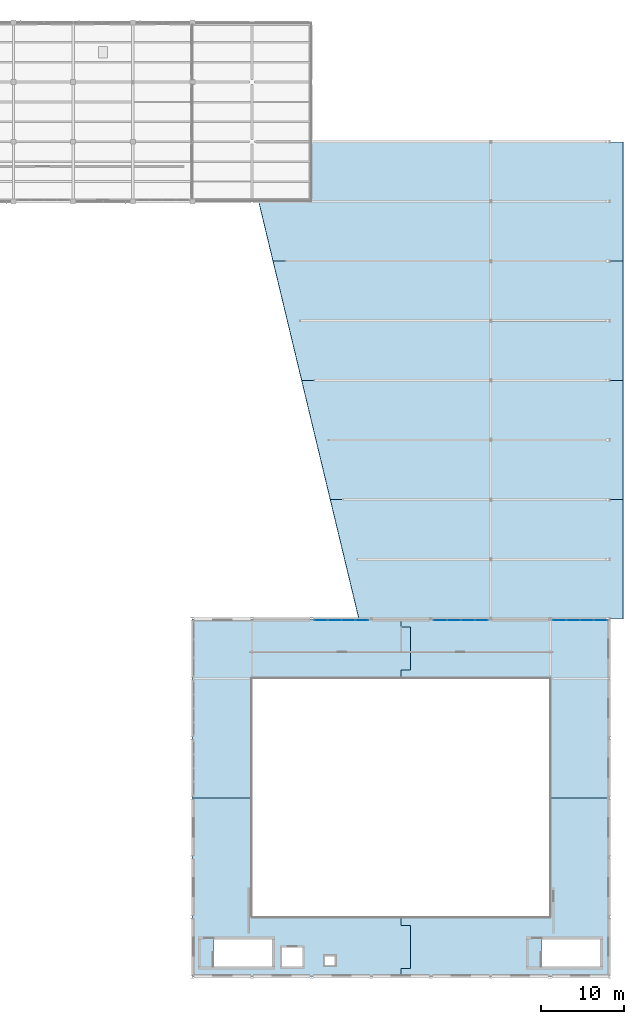
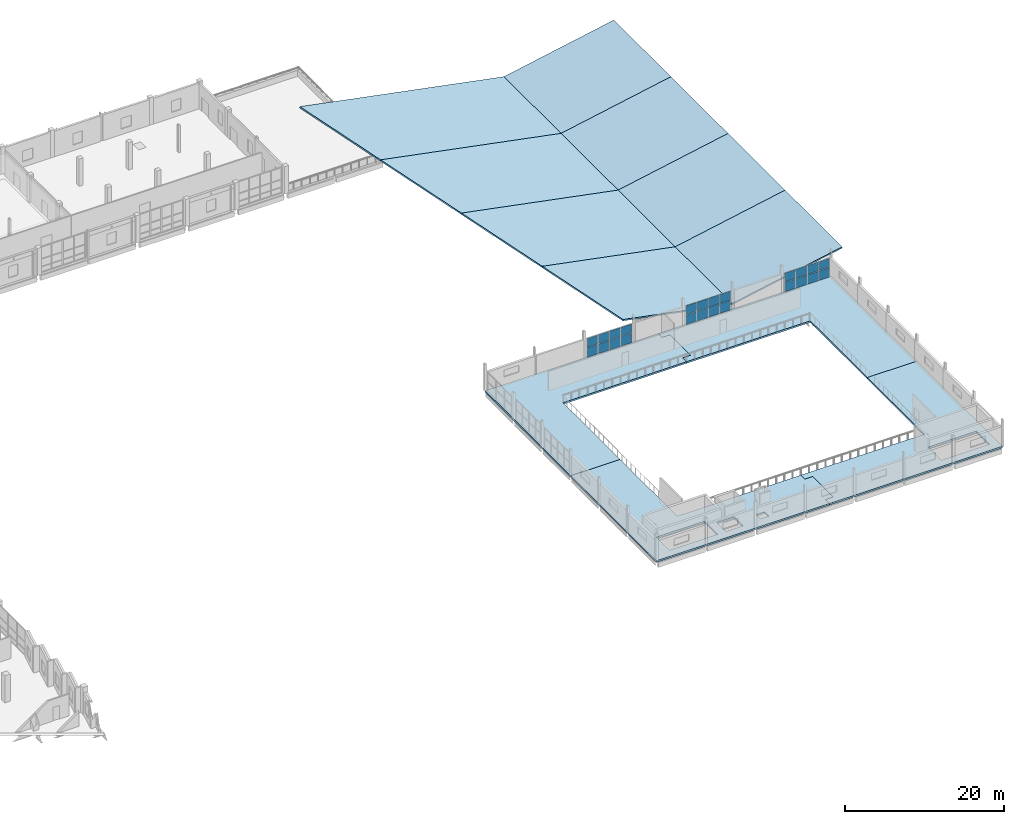
# One storey, part 62 of 94: 24 plates, 12 slabs, 3 elements without a shape of their own.
"""IFC4 building model written with IfcOpenShell, lengths in metres."""

from ifc_helpers import new_model, si_unit, direction, frame, origin, origin_2d, place, context, subcontext, project, spatial, polyline, rectangle, outline, extrude, material, layer, layer_set, type_object, element, aggregate, save


model = new_model("IFC4")

# Units and contexts
model_context = context("Model", 3, precision=1e-05, world=origin(), true_north=direction((0.0, 1.0)))
body_context = subcontext(model_context, "Body", "Model", "MODEL_VIEW")
ifc_project = project(units=[si_unit("LENGTHUNIT", "METRE"), si_unit("AREAUNIT", "SQUARE_METRE"), si_unit("VOLUMEUNIT", "CUBIC_METRE"), si_unit("PLANEANGLEUNIT", "RADIAN"), si_unit("MASSUNIT", "GRAM", prefix="KILO")], contexts=[model_context])

# Site, building, storey
site_placement = place(None, origin())
site = spatial("IfcSite", under=ifc_project, at=site_placement, CompositionType="ELEMENT")
building_placement = place(site_placement, origin())
building = spatial("IfcBuilding", under=site, at=building_placement, Name="Kalmorath City Hall", CompositionType="ELEMENT")
storey_placement = place(building_placement, frame((0.0, 0.0, 14.699951171875)))
storey = spatial("IfcBuildingStorey", under=building, at=storey_placement, Name="L03", CompositionType="ELEMENT", Elevation=14.699951171875)

# Slabs
ifc_material_1 = material(Name="Concrete C40/50", Category="concrete")
ifc_layer_1 = layer(ifc_material_1, 0.2099609375)
ifc_layer_set_1 = layer_set([ifc_layer_1], Name="Concrete C40/50")
slab_type_1 = type_object("IfcSlabType", Name="Concrete butterfly library roof slab 210", PredefinedType="ROOF", material=ifc_layer_set_1)
slab_1_placement = place(storey_placement, frame((151.199951171875, 43.199951171875, 0.820068359375), z_axis=(-0.191387548788, 0.0, 0.9815145471), x_axis=(0.9815145471, 0.0, 0.191387548788)))
element("IfcSlab", 1, at=slab_1_placement, inside=storey, type_object=slab_type_1, Name="Members Library east butterfly roof E1", PredefinedType="ROOF", context=body_context, shape_type="SweptSolid", body=[
    extrude(outline(polyline([(0.0, 0.0), (16.301337608571178, 0.0), (16.301337608571178, 14.400146484375), (0.0, 14.400146484375), (0.0, 0.0)])), origin(), (0.0, 0.0, -1.0), 0.2099609375),
])
slab_2_placement = place(storey_placement, frame((135.300048828125, 43.199951171875, 3.920654296875), z_axis=(0.191399372842, 2.202506e-06, 0.981512241427), x_axis=(0.981512241429, 4e-12, -0.191399372842)))
element("IfcSlab", 2, at=slab_2_placement, inside=storey, type_object=slab_type_1, Name="Members Library west butterfly roof W1", PredefinedType="ROOF", context=body_context, shape_type="SweptSolid", body=[
    extrude(outline(polyline([(0.0, 0.0), (16.199398991802244, 0.0), (16.19939899186434, 14.400146484340073), (-3.522135499707561, 14.400146484494973), (0.0, 0.0)])), origin(), (0.0, 0.0, -1.0), 0.2099609375),
])
slab_3_placement = place(storey_placement, frame((151.199951171875, 57.60009765625, 0.820068359375), z_axis=(-0.191387548788, 0.0, 0.9815145471), x_axis=(0.9815145471, 0.0, 0.191387548788)))
element("IfcSlab", 3, at=slab_3_placement, inside=storey, type_object=slab_type_1, Name="Members Library east butterfly roof E2", PredefinedType="ROOF", context=body_context, shape_type="SweptSolid", body=[
    extrude(outline(polyline([(0.0, 0.0), (16.301337608571178, 0.0), (16.301337608571178, 14.399902343749998), (0.0, 14.399902343749998), (0.0, 0.0)])), origin(), (0.0, 0.0, -1.0), 0.2099609375),
])
slab_4_placement = place(storey_placement, frame((131.843017578125, 57.60009765625, 4.5947265625), z_axis=(0.191395407219, 3.330914e-06, 0.98151301473), x_axis=(0.981513014735, 8e-12, -0.19139540722)))
element("IfcSlab", 4, at=slab_4_placement, inside=storey, type_object=slab_type_1, Name="Members Library west butterfly roof W2", PredefinedType="ROOF", context=body_context, shape_type="SweptSolid", body=[
    extrude(outline(polyline([(0.0, 0.0), (19.721534491539078, 1.6940658945086007e-21), (19.721534491655735, 14.399902343670115), (-3.5223751270814065, 14.399902344018185), (0.0, 0.0)])), origin(), (0.0, 0.0, -1.0), 0.2099609375),
])
slab_5_placement = place(storey_placement, frame((151.199951171875, 72.0, 0.820068359375), z_axis=(-0.191387548788, 0.0, 0.9815145471), x_axis=(0.9815145471, 0.0, 0.191387548788)))
element("IfcSlab", 5, at=slab_5_placement, inside=storey, type_object=slab_type_1, Name="Members Library east butterfly roof E3", PredefinedType="ROOF", context=body_context, shape_type="SweptSolid", body=[
    extrude(outline(polyline([(0.0, 0.0), (16.301337608571178, 0.0), (16.301337608571178, 14.399902343749998), (0.0, 14.399902343749998), (0.0, 0.0)])), origin(), (0.0, 0.0, -1.0), 0.2099609375),
])
slab_6_placement = place(storey_placement, frame((128.3857421875, 72.0, 5.268798828125), z_axis=(0.191392558808, 1.35351e-06, 0.981513570172), x_axis=(0.981513570173, 1e-12, -0.191392558808)))
element("IfcSlab", 6, at=slab_6_placement, inside=storey, type_object=slab_type_1, Name="Members Library west butterfly roof W3", PredefinedType="ROOF", context=body_context, shape_type="SweptSolid", body=[
    extrude(outline(polyline([(0.0, 0.0), (23.243909618778456, 8.470329472543003e-22), (23.2439096187948, 14.39990234373681), (-3.522135500108812, 14.399902343793569), (0.0, 0.0)])), origin(), (0.0, 0.0, -1.0), 0.2099609375),
])
slab_7_placement = place(storey_placement, frame((151.199951171875, 86.39990234375, 0.820068359375), z_axis=(-0.191387548788, 0.0, 0.9815145471), x_axis=(0.9815145471, 0.0, 0.191387548788)))
element("IfcSlab", 7, at=slab_7_placement, inside=storey, type_object=slab_type_1, Name="Members Library east butterfly roof E4", PredefinedType="ROOF", context=body_context, shape_type="SweptSolid", body=[
    extrude(outline(polyline([(0.0, 0.0), (16.301337608571178, 0.0), (16.301337608571178, 14.400146484375), (0.0, 14.400146484375), (0.0, 0.0)])), origin(), (0.0, 0.0, -1.0), 0.2099609375),
])
slab_8_placement = place(storey_placement, frame((124.9287109375, 86.39990234375, 5.94287109375), z_axis=(0.19139453611, -5.097994e-06, 0.981513184589), x_axis=(0.981513184601, 1.4e-11, -0.191394536113)))
element("IfcSlab", 8, at=slab_8_placement, inside=storey, type_object=slab_type_1, Name="Members Library west butterfly roof W4", PredefinedType="ROOF", context=body_context, shape_type="SweptSolid", body=[
    extrude(outline(polyline([(0.0, 0.0), (26.766045118810034, -3.3881317890172014e-21), (26.766045119011384, 14.400146484187875), (-3.5224218542621335, 14.400146484985633), (0.0, 0.0)])), origin(), (0.0, 0.0, -1.0), 0.2099609375),
])
ifc_material_2 = material(Name="Concrete C40/50", Category="concrete")
ifc_layer_2 = layer(ifc_material_2, 0.260009765625)
ifc_layer_set_2 = layer_set([ifc_layer_2], Name="Concrete C40/50")
slab_type_2 = type_object("IfcSlabType", Name="Concrete upper floor slab 260", PredefinedType="FLOOR", material=ifc_layer_set_2)
slab_9_placement = place(storey_placement, frame((0.0, 0.0, -0.260009765625)))
element("IfcSlab", 9, at=slab_9_placement, inside=storey, type_object=slab_type_2, Name="L03 Council Chamber Pavilion slab FS4-1", PredefinedType="FLOOR", context=body_context, shape_type="SweptSolid", body=[
    extrude(outline(polyline([(115.199951171875, 21.60009765625), (122.39990234375, 21.60009765625), (122.39990234375, 7.199951171875), (140.39990234375, 7.199951171875), (140.39990234375, 6.199951171875), (141.550048828125, 6.199951171875), (141.550048828125, 1.0), (140.39990234375, 1.0), (140.39990234375, 0.0), (115.199951171875, 0.0), (115.199951171875, 21.60009765625)]), holes=[polyline([(117.7900390625, 4.5), (117.7900390625, 1.199951171875), (124.800048828125, 1.199951171875), (124.800048828125, 4.5), (117.7900390625, 4.5)]), polyline([(128.5, 3.5), (126.0, 3.5), (126.0, 1.199951171875), (128.5, 1.199951171875), (128.5, 3.5)]), polyline([(131.199951171875, 1.39990234375), (132.39990234375, 1.39990234375), (132.39990234375, 2.47998046875), (131.199951171875, 2.47998046875), (131.199951171875, 1.39990234375)])]), origin(), (0.0, 0.0, 1.0), 0.260009765625),
])
slab_10_placement = place(storey_placement, frame((0.0, 0.0, -0.260009765625)))
element("IfcSlab", 10, at=slab_10_placement, inside=storey, type_object=slab_type_2, Name="L03 Council Chamber Pavilion slab FS4-2", PredefinedType="FLOOR", context=body_context, shape_type="SweptSolid", body=[
    extrude(outline(polyline([(140.39990234375, 0.0), (140.39990234375, 1.0), (141.550048828125, 1.0), (141.550048828125, 6.199951171875), (140.39990234375, 6.199951171875), (140.39990234375, 7.199951171875), (158.39990234375, 7.199951171875), (158.39990234375, 21.60009765625), (165.60009765625, 21.60009765625), (165.60009765625, 0.0), (140.39990234375, 0.0)]), holes=[polyline([(164.39990234375, 1.199951171875), (164.39990234375, 4.5), (157.389892578125, 4.5), (157.389892578125, 1.199951171875), (164.39990234375, 1.199951171875)])]), origin(), (0.0, 0.0, 1.0), 0.260009765625),
])
slab_11_placement = place(storey_placement, frame((0.0, 0.0, -0.260009765625)))
element("IfcSlab", 11, at=slab_11_placement, inside=storey, type_object=slab_type_2, Name="L03 Council Chamber Pavilion slab FS4-3", PredefinedType="FLOOR", context=body_context, shape_type="SweptSolid", body=[
    extrude(outline(polyline([(140.39990234375, 43.199951171875), (140.39990234375, 42.199951171875), (141.550048828125, 42.199951171875), (141.550048828125, 37.0), (140.39990234375, 37.0), (140.39990234375, 36.0), (122.39990234375, 36.0), (122.39990234375, 21.60009765625), (115.199951171875, 21.60009765625), (115.199951171875, 43.199951171875), (140.39990234375, 43.199951171875)])), origin(), (0.0, 0.0, 1.0), 0.260009765625),
])
slab_12_placement = place(storey_placement, frame((0.0, 0.0, -0.260009765625)))
element("IfcSlab", 12, at=slab_12_placement, inside=storey, type_object=slab_type_2, Name="L03 Council Chamber Pavilion slab FS4-4", PredefinedType="FLOOR", context=body_context, shape_type="SweptSolid", body=[
    extrude(outline(polyline([(158.39990234375, 21.60009765625), (158.39990234375, 36.0), (140.39990234375, 36.0), (140.39990234375, 37.0), (141.550048828125, 37.0), (141.550048828125, 42.199951171875), (140.39990234375, 42.199951171875), (140.39990234375, 43.199951171875), (165.60009765625, 43.199951171875), (165.60009765625, 21.60009765625), (158.39990234375, 21.60009765625)])), origin(), (0.0, 0.0, 1.0), 0.260009765625),
])

# Curtain wall, plates
ifc_material_3 = material(Name="Anodised aluminium and laminated glass", Category="aluminium")
curtain_wall_type_1 = type_object("IfcCurtainWallType", Name="Unitised hurricane curtain wall 6656x3022 M1850", PredefinedType="NOTDEFINED", material=ifc_material_3)
curtain_wall_1_placement = place(storey_placement, origin())
curtain_wall_1 = element("IfcCurtainWall", 13, at=curtain_wall_1_placement, inside=storey, type_object=curtain_wall_type_1, Name="L03 curtain wall CW-67X30M18 #160", PredefinedType="NOTDEFINED")
ifc_material_4 = material(Name="Hurricane laminated low-E glass", Category="glass")
ifc_layer_3 = layer(ifc_material_4, 0.035888671875)
ifc_layer_set_3 = layer_set([ifc_layer_3], Name="Hurricane laminated low-E glass")
plate_type = type_object("IfcPlateType", Name="Library acoustic low-E glazed panel 36", PredefinedType="CURTAIN_PANEL", material=ifc_layer_set_3)
plate_1_placement = place(storey_placement, frame((130.72509765625, 43.0400390625, 0.06005859375), z_axis=(0.0, 0.0, 1.0), x_axis=(1.0, 0.0, 0.0)))
plate_1 = element("IfcPlate", 14, at=plate_1_placement, type_object=plate_type, Name="CW-67X30M18 panel 1.1", PredefinedType="CURTAIN_PANEL", context=body_context, shape_type="SweptSolid", body=[
    extrude(rectangle(XDim=1.55126953125, YDim=0.035888671875, at=origin_2d()), origin(), (0.0, 0.0, 1.0), 1.48095703125),
])
plate_2_placement = place(storey_placement, frame((130.72509765625, 43.0400390625, 1.60107421875), z_axis=(0.0, 0.0, 1.0), x_axis=(1.0, 0.0, 0.0)))
plate_2 = element("IfcPlate", 15, at=plate_2_placement, type_object=plate_type, Name="CW-67X30M18 panel 1.2", PredefinedType="CURTAIN_PANEL", context=body_context, shape_type="SweptSolid", body=[
    extrude(rectangle(XDim=1.55126953125, YDim=0.035888671875, at=origin_2d()), origin(), (0.0, 0.0, 1.0), 1.361083984375),
])
plate_3_placement = place(storey_placement, frame((132.370361328125, 43.0400390625, 0.06005859375), z_axis=(0.0, 0.0, 1.0), x_axis=(1.0, 0.0, 0.0)))
plate_3 = element("IfcPlate", 16, at=plate_3_placement, type_object=plate_type, Name="CW-67X30M18 panel 2.1", PredefinedType="CURTAIN_PANEL", context=body_context, shape_type="SweptSolid", body=[
    extrude(rectangle(XDim=1.5888671875, YDim=0.035888671875, at=origin_2d()), origin(), (0.0, 0.0, 1.0), 1.48095703125),
])
plate_4_placement = place(storey_placement, frame((132.370361328125, 43.0400390625, 1.60107421875), z_axis=(0.0, 0.0, 1.0), x_axis=(1.0, 0.0, 0.0)))
plate_4 = element("IfcPlate", 17, at=plate_4_placement, type_object=plate_type, Name="CW-67X30M18 panel 2.2", PredefinedType="CURTAIN_PANEL", context=body_context, shape_type="SweptSolid", body=[
    extrude(rectangle(XDim=1.5888671875, YDim=0.035888671875, at=origin_2d()), origin(), (0.0, 0.0, 1.0), 1.361083984375),
])
plate_5_placement = place(storey_placement, frame((134.0341796875, 43.0400390625, 0.06005859375), z_axis=(0.0, 0.0, 1.0), x_axis=(1.0, 0.0, 0.0)))
plate_5 = element("IfcPlate", 18, at=plate_5_placement, type_object=plate_type, Name="CW-67X30M18 panel 3.1", PredefinedType="CURTAIN_PANEL", context=body_context, shape_type="SweptSolid", body=[
    extrude(rectangle(XDim=1.5888671875, YDim=0.035888671875, at=origin_2d()), origin(), (0.0, 0.0, 1.0), 1.48095703125),
])
plate_6_placement = place(storey_placement, frame((134.0341796875, 43.0400390625, 1.60107421875), z_axis=(0.0, 0.0, 1.0), x_axis=(1.0, 0.0, 0.0)))
plate_6 = element("IfcPlate", 19, at=plate_6_placement, type_object=plate_type, Name="CW-67X30M18 panel 3.2", PredefinedType="CURTAIN_PANEL", context=body_context, shape_type="SweptSolid", body=[
    extrude(rectangle(XDim=1.5888671875, YDim=0.035888671875, at=origin_2d()), origin(), (0.0, 0.0, 1.0), 1.361083984375),
])
plate_7_placement = place(storey_placement, frame((135.67919921875, 43.0400390625, 0.06005859375), z_axis=(0.0, 0.0, 1.0), x_axis=(1.0, 0.0, 0.0)))
plate_7 = element("IfcPlate", 20, at=plate_7_placement, type_object=plate_type, Name="CW-67X30M18 panel 4.1", PredefinedType="CURTAIN_PANEL", context=body_context, shape_type="SweptSolid", body=[
    extrude(rectangle(XDim=1.55126953125, YDim=0.035888671875, at=origin_2d()), origin(), (0.0, 0.0, 1.0), 1.48095703125),
])
plate_8_placement = place(storey_placement, frame((135.67919921875, 43.0400390625, 1.60107421875), z_axis=(0.0, 0.0, 1.0), x_axis=(1.0, 0.0, 0.0)))
plate_8 = element("IfcPlate", 21, at=plate_8_placement, type_object=plate_type, Name="CW-67X30M18 panel 4.2", PredefinedType="CURTAIN_PANEL", context=body_context, shape_type="SweptSolid", body=[
    extrude(rectangle(XDim=1.55126953125, YDim=0.035888671875, at=origin_2d()), origin(), (0.0, 0.0, 1.0), 1.361083984375),
])
aggregate(curtain_wall_1, [plate_1, plate_2, plate_3, plate_4, plate_5, plate_6, plate_7, plate_8])

ifc_material_5 = material(Name="Anodised aluminium and laminated glass", Category="aluminium")
curtain_wall_type_2 = type_object("IfcCurtainWallType", Name="Unitised hurricane curtain wall 6655x3022 M1850", PredefinedType="NOTDEFINED", material=ifc_material_5)
curtain_wall_2_placement = place(storey_placement, origin())
curtain_wall_2 = element("IfcCurtainWall", 22, at=curtain_wall_2_placement, inside=storey, type_object=curtain_wall_type_2, Name="L03 curtain wall CW-67X30M18 #161", PredefinedType="NOTDEFINED")
plate_9_placement = place(storey_placement, frame((145.125244140625, 43.0400390625, 0.06005859375), z_axis=(0.0, 0.0, 1.0), x_axis=(1.0, 0.0, 0.0)))
plate_9 = element("IfcPlate", 23, at=plate_9_placement, type_object=plate_type, Name="CW-67X30M18 panel 1.1", PredefinedType="CURTAIN_PANEL", context=body_context, shape_type="SweptSolid", body=[
    extrude(rectangle(XDim=1.55126953125, YDim=0.035888671875, at=origin_2d()), origin(), (0.0, 0.0, 1.0), 1.48095703125),
])
plate_10_placement = place(storey_placement, frame((145.125244140625, 43.0400390625, 1.60107421875), z_axis=(0.0, 0.0, 1.0), x_axis=(1.0, 0.0, 0.0)))
plate_10 = element("IfcPlate", 24, at=plate_10_placement, type_object=plate_type, Name="CW-67X30M18 panel 1.2", PredefinedType="CURTAIN_PANEL", context=body_context, shape_type="SweptSolid", body=[
    extrude(rectangle(XDim=1.55126953125, YDim=0.035888671875, at=origin_2d()), origin(), (0.0, 0.0, 1.0), 1.361083984375),
])
plate_11_placement = place(storey_placement, frame((146.770263671875, 43.0400390625, 0.06005859375), z_axis=(0.0, 0.0, 1.0), x_axis=(1.0, 0.0, 0.0)))
plate_11 = element("IfcPlate", 25, at=plate_11_placement, type_object=plate_type, Name="CW-67X30M18 panel 2.1", PredefinedType="CURTAIN_PANEL", context=body_context, shape_type="SweptSolid", body=[
    extrude(rectangle(XDim=1.5888671875, YDim=0.035888671875, at=origin_2d()), origin(), (0.0, 0.0, 1.0), 1.48095703125),
])
plate_12_placement = place(storey_placement, frame((146.770263671875, 43.0400390625, 1.60107421875), z_axis=(0.0, 0.0, 1.0), x_axis=(1.0, 0.0, 0.0)))
plate_12 = element("IfcPlate", 26, at=plate_12_placement, type_object=plate_type, Name="CW-67X30M18 panel 2.2", PredefinedType="CURTAIN_PANEL", context=body_context, shape_type="SweptSolid", body=[
    extrude(rectangle(XDim=1.5888671875, YDim=0.035888671875, at=origin_2d()), origin(), (0.0, 0.0, 1.0), 1.361083984375),
])
plate_13_placement = place(storey_placement, frame((148.43408203125, 43.0400390625, 0.06005859375), z_axis=(0.0, 0.0, 1.0), x_axis=(1.0, 0.0, 0.0)))
plate_13 = element("IfcPlate", 27, at=plate_13_placement, type_object=plate_type, Name="CW-67X30M18 panel 3.1", PredefinedType="CURTAIN_PANEL", context=body_context, shape_type="SweptSolid", body=[
    extrude(rectangle(XDim=1.5888671875, YDim=0.035888671875, at=origin_2d()), origin(), (0.0, 0.0, 1.0), 1.48095703125),
])
plate_14_placement = place(storey_placement, frame((148.43408203125, 43.0400390625, 1.60107421875), z_axis=(0.0, 0.0, 1.0), x_axis=(1.0, 0.0, 0.0)))
plate_14 = element("IfcPlate", 28, at=plate_14_placement, type_object=plate_type, Name="CW-67X30M18 panel 3.2", PredefinedType="CURTAIN_PANEL", context=body_context, shape_type="SweptSolid", body=[
    extrude(rectangle(XDim=1.5888671875, YDim=0.035888671875, at=origin_2d()), origin(), (0.0, 0.0, 1.0), 1.361083984375),
])
plate_15_placement = place(storey_placement, frame((150.079345703125, 43.0400390625, 0.06005859375), z_axis=(0.0, 0.0, 1.0), x_axis=(1.0, 0.0, 0.0)))
plate_15 = element("IfcPlate", 29, at=plate_15_placement, type_object=plate_type, Name="CW-67X30M18 panel 4.1", PredefinedType="CURTAIN_PANEL", context=body_context, shape_type="SweptSolid", body=[
    extrude(rectangle(XDim=1.55126953125, YDim=0.035888671875, at=origin_2d()), origin(), (0.0, 0.0, 1.0), 1.48095703125),
])
plate_16_placement = place(storey_placement, frame((150.079345703125, 43.0400390625, 1.60107421875), z_axis=(0.0, 0.0, 1.0), x_axis=(1.0, 0.0, 0.0)))
plate_16 = element("IfcPlate", 30, at=plate_16_placement, type_object=plate_type, Name="CW-67X30M18 panel 4.2", PredefinedType="CURTAIN_PANEL", context=body_context, shape_type="SweptSolid", body=[
    extrude(rectangle(XDim=1.55126953125, YDim=0.035888671875, at=origin_2d()), origin(), (0.0, 0.0, 1.0), 1.361083984375),
])
aggregate(curtain_wall_2, [plate_9, plate_10, plate_11, plate_12, plate_13, plate_14, plate_15, plate_16])

ifc_material_6 = material(Name="Anodised aluminium and laminated glass", Category="aluminium")
curtain_wall_type_3 = type_object("IfcCurtainWallType", Name="Unitised hurricane curtain wall 6655x3018 M1850", PredefinedType="NOTDEFINED", material=ifc_material_6)
curtain_wall_3_placement = place(storey_placement, origin())
curtain_wall_3 = element("IfcCurtainWall", 31, at=curtain_wall_3_placement, inside=storey, type_object=curtain_wall_type_3, Name="L03 curtain wall CW-67X30M18 #162", PredefinedType="NOTDEFINED")
plate_17_placement = place(storey_placement, frame((159.525146484375, 43.0400390625, 0.06005859375), z_axis=(0.0, 0.0, 1.0), x_axis=(1.0, 0.0, 0.0)))
plate_17 = element("IfcPlate", 32, at=plate_17_placement, type_object=plate_type, Name="CW-67X30M18 panel 1.1", PredefinedType="CURTAIN_PANEL", context=body_context, shape_type="SweptSolid", body=[
    extrude(rectangle(XDim=1.55126953125, YDim=0.035888671875, at=origin_2d()), origin(), (0.0, 0.0, 1.0), 1.47900390625),
])
plate_18_placement = place(storey_placement, frame((159.525146484375, 43.0400390625, 1.59912109375), z_axis=(0.0, 0.0, 1.0), x_axis=(1.0, 0.0, 0.0)))
plate_18 = element("IfcPlate", 33, at=plate_18_placement, type_object=plate_type, Name="CW-67X30M18 panel 1.2", PredefinedType="CURTAIN_PANEL", context=body_context, shape_type="SweptSolid", body=[
    extrude(rectangle(XDim=1.55126953125, YDim=0.035888671875, at=origin_2d()), origin(), (0.0, 0.0, 1.0), 1.35888671875),
])
plate_19_placement = place(storey_placement, frame((161.17041015625, 43.0400390625, 0.06005859375), z_axis=(0.0, 0.0, 1.0), x_axis=(1.0, 0.0, 0.0)))
plate_19 = element("IfcPlate", 34, at=plate_19_placement, type_object=plate_type, Name="CW-67X30M18 panel 2.1", PredefinedType="CURTAIN_PANEL", context=body_context, shape_type="SweptSolid", body=[
    extrude(rectangle(XDim=1.5888671875, YDim=0.035888671875, at=origin_2d()), origin(), (0.0, 0.0, 1.0), 1.47900390625),
])
plate_20_placement = place(storey_placement, frame((161.17041015625, 43.0400390625, 1.59912109375), z_axis=(0.0, 0.0, 1.0), x_axis=(1.0, 0.0, 0.0)))
plate_20 = element("IfcPlate", 35, at=plate_20_placement, type_object=plate_type, Name="CW-67X30M18 panel 2.2", PredefinedType="CURTAIN_PANEL", context=body_context, shape_type="SweptSolid", body=[
    extrude(rectangle(XDim=1.5888671875, YDim=0.035888671875, at=origin_2d()), origin(), (0.0, 0.0, 1.0), 1.35888671875),
])
plate_21_placement = place(storey_placement, frame((162.834228515625, 43.0400390625, 0.06005859375), z_axis=(0.0, 0.0, 1.0), x_axis=(1.0, 0.0, 0.0)))
plate_21 = element("IfcPlate", 36, at=plate_21_placement, type_object=plate_type, Name="CW-67X30M18 panel 3.1", PredefinedType="CURTAIN_PANEL", context=body_context, shape_type="SweptSolid", body=[
    extrude(rectangle(XDim=1.5888671875, YDim=0.035888671875, at=origin_2d()), origin(), (0.0, 0.0, 1.0), 1.47900390625),
])
plate_22_placement = place(storey_placement, frame((162.834228515625, 43.0400390625, 1.59912109375), z_axis=(0.0, 0.0, 1.0), x_axis=(1.0, 0.0, 0.0)))
plate_22 = element("IfcPlate", 37, at=plate_22_placement, type_object=plate_type, Name="CW-67X30M18 panel 3.2", PredefinedType="CURTAIN_PANEL", context=body_context, shape_type="SweptSolid", body=[
    extrude(rectangle(XDim=1.5888671875, YDim=0.035888671875, at=origin_2d()), origin(), (0.0, 0.0, 1.0), 1.35888671875),
])
plate_23_placement = place(storey_placement, frame((164.479248046875, 43.0400390625, 0.06005859375), z_axis=(0.0, 0.0, 1.0), x_axis=(1.0, 0.0, 0.0)))
plate_23 = element("IfcPlate", 38, at=plate_23_placement, type_object=plate_type, Name="CW-67X30M18 panel 4.1", PredefinedType="CURTAIN_PANEL", context=body_context, shape_type="SweptSolid", body=[
    extrude(rectangle(XDim=1.55126953125, YDim=0.035888671875, at=origin_2d()), origin(), (0.0, 0.0, 1.0), 1.47900390625),
])
plate_24_placement = place(storey_placement, frame((164.479248046875, 43.0400390625, 1.59912109375), z_axis=(0.0, 0.0, 1.0), x_axis=(1.0, 0.0, 0.0)))
plate_24 = element("IfcPlate", 39, at=plate_24_placement, type_object=plate_type, Name="CW-67X30M18 panel 4.2", PredefinedType="CURTAIN_PANEL", context=body_context, shape_type="SweptSolid", body=[
    extrude(rectangle(XDim=1.55126953125, YDim=0.035888671875, at=origin_2d()), origin(), (0.0, 0.0, 1.0), 1.35888671875),
])
aggregate(curtain_wall_3, [plate_17, plate_18, plate_19, plate_20, plate_21, plate_22, plate_23, plate_24])

save(model, "model.ifc")
